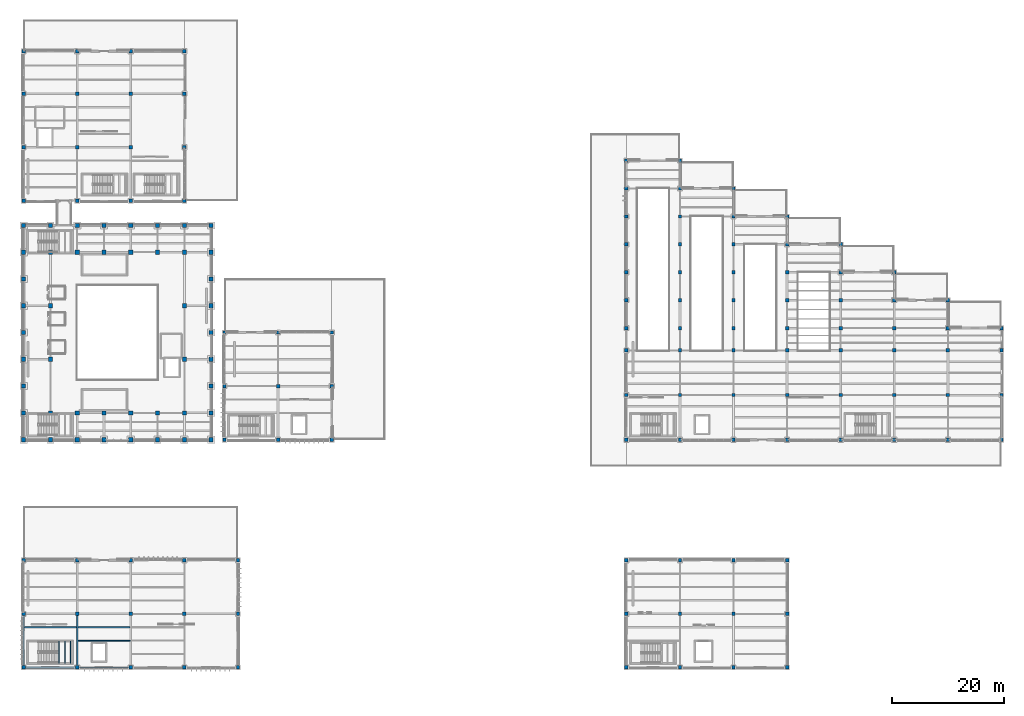
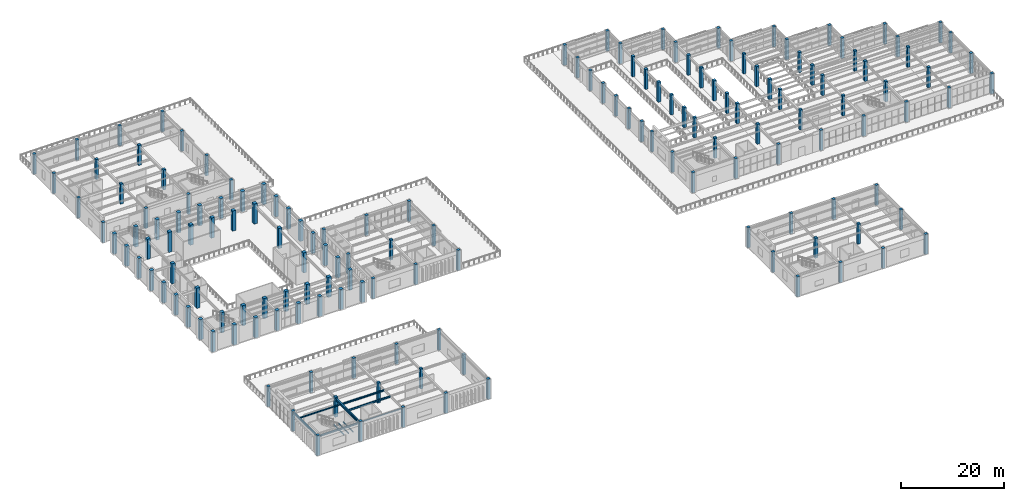
# One storey, part 1 of 83: 157 columns, 10 beams.
"""IFC4 building model written with IfcOpenShell, lengths in metres."""

from ifc_helpers import new_model, si_unit, direction, frame, origin, origin_2d, place, context, subcontext, project, spatial, rectangle, i_section, extrude, material, material_profile, profile_set, type_object, element, save


model = new_model("IFC4")

# Units and contexts
model_context = context("Model", 3, precision=1e-05, world=origin(), true_north=direction((0.0, 1.0)))
body_context = subcontext(model_context, "Body", "Model", "MODEL_VIEW")
ifc_project = project(units=[si_unit("LENGTHUNIT", "METRE"), si_unit("AREAUNIT", "SQUARE_METRE"), si_unit("VOLUMEUNIT", "CUBIC_METRE"), si_unit("PLANEANGLEUNIT", "RADIAN"), si_unit("MASSUNIT", "GRAM", prefix="KILO")], contexts=[model_context])

# Site, building, storey
site_placement = place(None, origin())
site = spatial("IfcSite", under=ifc_project, at=site_placement, CompositionType="ELEMENT")
building_placement = place(site_placement, origin())
building = spatial("IfcBuilding", under=site, at=building_placement, Name="Mavantir Sound Aquarium", CompositionType="ELEMENT")
storey_placement = place(building_placement, frame((0.0, 0.0, 10.5)))
storey = spatial("IfcBuildingStorey", under=building, at=storey_placement, Name="L02", CompositionType="ELEMENT", Elevation=10.5)

# Columns
ifc_material_1 = material(Name="Concrete C40/50", Category="concrete")
ifc_material_profile_1 = material_profile(ifc_material_1, rectangle(XDim=0.60009765625, YDim=0.60009765625, at=origin_2d()), Name="RC 600X600")
ifc_profile_set_1 = profile_set([ifc_material_profile_1], Name="Concrete C40/50")
column_type_1 = type_object("IfcColumnType", Name="COL-RC600-E", PredefinedType="COLUMN", material=ifc_profile_set_1)
for number, where, z_axis, x_axis, name in (
    (1, (0.0, 0.0, 0.0), (0.0, 0.0, 1.0), (1.0, 0.0, 0.0), "L02 column RC-C60 (V3)"),
    (2, (0.0, 9.60009765625, 0.0), (0.0, 0.0, 1.0), (1.0, 0.0, 0.0), "L02 column RC-C60 (V3)"),
    (3, (0.0, 19.199951171875, 0.0), (0.0, 0.0, 1.0), (1.0, 0.0, 0.0), "L02 column RC-C60 (V3)"),
    (4, (9.60009765625, 0.0, 0.0), (0.0, 0.0, 1.0), (1.0, 0.0, 0.0), "L02 column RC-C60 (V3)"),
    (5, (19.199951171875, 0.0, 0.0), (0.0, 0.0, 1.0), (1.0, 0.0, 0.0), "L02 column RC-C60 (V3)"),
    (6, (28.800048828125, 0.0, 0.0), (0.0, 0.0, 1.0), (1.0, 0.0, 0.0), "L02 column RC-C60 (V3)"),
    (7, (38.39990234375, 0.0, 0.0), (0.0, 0.0, 1.0), (1.0, 0.0, 0.0), "L02 column RC-C60 (V3)"),
    (8, (175.199951171875, 40.800048828125, 0.0), (0.0, 0.0, 1.0), (1.0, 0.0, 0.0), "L02 column RC-C60 (V4)"),
    (9, (175.199951171875, 48.800048828125, 0.0), (0.0, 0.0, 1.0), (1.0, 0.0, 0.0), "L02 column RC-C60 (V4)"),
    (10, (175.199951171875, 56.800048828125, 0.0), (0.0, 0.0, 1.0), (1.0, 0.0, 0.0), "L02 column RC-C60 (V4)"),
    (11, (175.199951171875, 60.800048828125, 0.0), (0.0, 0.0, 1.0), (1.0, 0.0, 0.0), "L02 column RC-C60 (V4)"),
    (12, (0.0, 83.60009765625, 0.0), (0.0, 0.0, 1.0), (1.0, 0.0, 0.0), "L02 column RC-C60 (V5)"),
    (13, (0.0, 93.199951171875, 0.0), (0.0, 0.0, 1.0), (1.0, 0.0, 0.0), "L02 column RC-C60 (V5)"),
    (14, (0.0, 102.800048828125, 0.0), (0.0, 0.0, 1.0), (1.0, 0.0, 0.0), "L02 column RC-C60 (V5)"),
    (15, (0.0, 110.39990234375, 0.0), (0.0, 0.0, 1.0), (1.0, 0.0, 0.0), "L02 column RC-C60 (V5)"),
    (16, (108.0, 0.0, 0.0), (0.0, 0.0, 1.0), (1.0, 0.0, 0.0), "L02 column RC-C60 (V6)"),
    (17, (117.60009765625, 0.0, 0.0), (0.0, 0.0, 1.0), (1.0, 0.0, 0.0), "L02 column RC-C60 (V6)"),
    (18, (127.199951171875, 0.0, 0.0), (0.0, 0.0, 1.0), (1.0, 0.0, 0.0), "L02 column RC-C60 (V6)"),
    (19, (136.800048828125, 0.0, 0.0), (0.0, 0.0, 1.0), (1.0, 0.0, 0.0), "L02 column RC-C60 (V6)"),
):
    element("IfcColumn", number, at=place(storey_placement, frame(where, z_axis=z_axis, x_axis=x_axis)), inside=storey, type_object=column_type_1, Name=name, PredefinedType="COLUMN", context=body_context, shape_type="SweptSolid", body=[
        extrude(rectangle(XDim=0.60009765625, YDim=0.60009765625, at=origin_2d()), origin(), (0.0, 0.0, 1.0), 4.800048828125),
    ])
ifc_material_profile_2 = material_profile(ifc_material_1, rectangle(XDim=0.60009765625, YDim=0.60009765625, at=origin_2d()), Name="RC 600X600")
ifc_profile_set_2 = profile_set([ifc_material_profile_2], Name="Concrete C40/50")
column_type_2 = type_object("IfcColumnType", Name="COL-RC600-I", PredefinedType="COLUMN", material=ifc_profile_set_2)
for number, where, z_axis, x_axis, name in (
    (20, (36.0, 40.800048828125, 0.0), (0.0, 0.0, 1.0), (1.0, 0.0, 0.0), "L02 column RC-C60 (V2)"),
    (21, (36.0, 50.39990234375, 0.0), (0.0, 0.0, 1.0), (1.0, 0.0, 0.0), "L02 column RC-C60 (V2)"),
    (22, (36.0, 60.0, 0.0), (0.0, 0.0, 1.0), (1.0, 0.0, 0.0), "L02 column RC-C60 (V2)"),
    (23, (45.60009765625, 40.800048828125, 0.0), (0.0, 0.0, 1.0), (1.0, 0.0, 0.0), "L02 column RC-C60 (V2)"),
    (24, (45.60009765625, 50.39990234375, 0.0), (0.0, 0.0, 1.0), (1.0, 0.0, 0.0), "L02 column RC-C60 (V2)"),
    (25, (45.60009765625, 60.0, 0.0), (0.0, 0.0, 1.0), (1.0, 0.0, 0.0), "L02 column RC-C60 (V2)"),
    (26, (55.199951171875, 40.800048828125, 0.0), (0.0, 0.0, 1.0), (1.0, 0.0, 0.0), "L02 column RC-C60 (V2)"),
    (27, (55.199951171875, 50.39990234375, 0.0), (0.0, 0.0, 1.0), (1.0, 0.0, 0.0), "L02 column RC-C60 (V2)"),
    (28, (55.199951171875, 60.0, 0.0), (0.0, 0.0, 1.0), (1.0, 0.0, 0.0), "L02 column RC-C60 (V2)"),
    (29, (9.60009765625, 9.60009765625, 0.0), (0.0, 0.0, 1.0), (1.0, 0.0, 0.0), "L02 column RC-C60 (V3)"),
    (30, (9.60009765625, 19.199951171875, 0.0), (0.0, 0.0, 1.0), (1.0, 0.0, 0.0), "L02 column RC-C60 (V3)"),
    (31, (19.199951171875, 9.60009765625, 0.0), (0.0, 0.0, 1.0), (1.0, 0.0, 0.0), "L02 column RC-C60 (V3)"),
    (32, (19.199951171875, 19.199951171875, 0.0), (0.0, 0.0, 1.0), (1.0, 0.0, 0.0), "L02 column RC-C60 (V3)"),
    (33, (28.800048828125, 9.60009765625, 0.0), (0.0, 0.0, 1.0), (1.0, 0.0, 0.0), "L02 column RC-C60 (V3)"),
    (34, (28.800048828125, 19.199951171875, 0.0), (0.0, 0.0, 1.0), (1.0, 0.0, 0.0), "L02 column RC-C60 (V3)"),
    (35, (38.39990234375, 9.60009765625, 0.0), (0.0, 0.0, 1.0), (1.0, 0.0, 0.0), "L02 column RC-C60 (V3)"),
    (36, (38.39990234375, 19.199951171875, 0.0), (0.0, 0.0, 1.0), (1.0, 0.0, 0.0), "L02 column RC-C60 (V3)"),
    (37, (108.0, 40.800048828125, 0.0), (0.0, 0.0, 1.0), (1.0, 0.0, 0.0), "L02 column RC-C60 (V4)"),
    (38, (108.0, 48.800048828125, 0.0), (0.0, 0.0, 1.0), (1.0, 0.0, 0.0), "L02 column RC-C60 (V4)"),
    (39, (108.0, 56.800048828125, 0.0), (0.0, 0.0, 1.0), (1.0, 0.0, 0.0), "L02 column RC-C60 (V4)"),
    (40, (108.0, 60.800048828125, 0.0), (0.0, 0.0, 1.0), (1.0, 0.0, 0.0), "L02 column RC-C60 (V4)"),
    (41, (108.0, 65.800048828125, 0.0), (0.0, 0.0, 1.0), (1.0, 0.0, 0.0), "L02 column RC-C60 (V4)"),
    (42, (108.0, 70.800048828125, 0.0), (0.0, 0.0, 1.0), (1.0, 0.0, 0.0), "L02 column RC-C60 (V4)"),
    (43, (108.0, 75.800048828125, 0.0), (0.0, 0.0, 1.0), (1.0, 0.0, 0.0), "L02 column RC-C60 (V4)"),
    (44, (108.0, 80.800048828125, 0.0), (0.0, 0.0, 1.0), (1.0, 0.0, 0.0), "L02 column RC-C60 (V4)"),
    (45, (108.0, 85.800048828125, 0.0), (0.0, 0.0, 1.0), (1.0, 0.0, 0.0), "L02 column RC-C60 (V4)"),
    (46, (108.0, 90.800048828125, 0.0), (0.0, 0.0, 1.0), (1.0, 0.0, 0.0), "L02 column RC-C60 (V4)"),
    (47, (117.60009765625, 40.800048828125, 0.0), (0.0, 0.0, 1.0), (1.0, 0.0, 0.0), "L02 column RC-C60 (V4)"),
    (48, (117.60009765625, 48.800048828125, 0.0), (0.0, 0.0, 1.0), (1.0, 0.0, 0.0), "L02 column RC-C60 (V4)"),
    (49, (117.60009765625, 56.800048828125, 0.0), (0.0, 0.0, 1.0), (1.0, 0.0, 0.0), "L02 column RC-C60 (V4)"),
    (50, (117.60009765625, 60.800048828125, 0.0), (0.0, 0.0, 1.0), (1.0, 0.0, 0.0), "L02 column RC-C60 (V4)"),
    (51, (117.60009765625, 65.800048828125, 0.0), (0.0, 0.0, 1.0), (1.0, 0.0, 0.0), "L02 column RC-C60 (V4)"),
    (52, (117.60009765625, 70.800048828125, 0.0), (0.0, 0.0, 1.0), (1.0, 0.0, 0.0), "L02 column RC-C60 (V4)"),
    (53, (117.60009765625, 75.800048828125, 0.0), (0.0, 0.0, 1.0), (1.0, 0.0, 0.0), "L02 column RC-C60 (V4)"),
    (54, (117.60009765625, 80.800048828125, 0.0), (0.0, 0.0, 1.0), (1.0, 0.0, 0.0), "L02 column RC-C60 (V4)"),
    (55, (117.60009765625, 85.800048828125, 0.0), (0.0, 0.0, 1.0), (1.0, 0.0, 0.0), "L02 column RC-C60 (V4)"),
    (56, (117.60009765625, 90.800048828125, 0.0), (0.0, 0.0, 1.0), (1.0, 0.0, 0.0), "L02 column RC-C60 (V4)"),
    (57, (127.199951171875, 40.800048828125, 0.0), (0.0, 0.0, 1.0), (1.0, 0.0, 0.0), "L02 column RC-C60 (V4)"),
    (58, (127.199951171875, 48.800048828125, 0.0), (0.0, 0.0, 1.0), (1.0, 0.0, 0.0), "L02 column RC-C60 (V4)"),
    (59, (127.199951171875, 56.800048828125, 0.0), (0.0, 0.0, 1.0), (1.0, 0.0, 0.0), "L02 column RC-C60 (V4)"),
    (60, (127.199951171875, 60.800048828125, 0.0), (0.0, 0.0, 1.0), (1.0, 0.0, 0.0), "L02 column RC-C60 (V4)"),
    (61, (127.199951171875, 65.800048828125, 0.0), (0.0, 0.0, 1.0), (1.0, 0.0, 0.0), "L02 column RC-C60 (V4)"),
    (62, (127.199951171875, 70.800048828125, 0.0), (0.0, 0.0, 1.0), (1.0, 0.0, 0.0), "L02 column RC-C60 (V4)"),
    (63, (127.199951171875, 75.800048828125, 0.0), (0.0, 0.0, 1.0), (1.0, 0.0, 0.0), "L02 column RC-C60 (V4)"),
    (64, (127.199951171875, 80.800048828125, 0.0), (0.0, 0.0, 1.0), (1.0, 0.0, 0.0), "L02 column RC-C60 (V4)"),
    (65, (127.199951171875, 85.800048828125, 0.0), (0.0, 0.0, 1.0), (1.0, 0.0, 0.0), "L02 column RC-C60 (V4)"),
    (66, (136.800048828125, 40.800048828125, 0.0), (0.0, 0.0, 1.0), (1.0, 0.0, 0.0), "L02 column RC-C60 (V4)"),
    (67, (136.800048828125, 48.800048828125, 0.0), (0.0, 0.0, 1.0), (1.0, 0.0, 0.0), "L02 column RC-C60 (V4)"),
    (68, (136.800048828125, 56.800048828125, 0.0), (0.0, 0.0, 1.0), (1.0, 0.0, 0.0), "L02 column RC-C60 (V4)"),
    (69, (136.800048828125, 60.800048828125, 0.0), (0.0, 0.0, 1.0), (1.0, 0.0, 0.0), "L02 column RC-C60 (V4)"),
    (70, (136.800048828125, 65.800048828125, 0.0), (0.0, 0.0, 1.0), (1.0, 0.0, 0.0), "L02 column RC-C60 (V4)"),
    (71, (136.800048828125, 70.800048828125, 0.0), (0.0, 0.0, 1.0), (1.0, 0.0, 0.0), "L02 column RC-C60 (V4)"),
    (72, (136.800048828125, 75.800048828125, 0.0), (0.0, 0.0, 1.0), (1.0, 0.0, 0.0), "L02 column RC-C60 (V4)"),
    (73, (136.800048828125, 80.800048828125, 0.0), (0.0, 0.0, 1.0), (1.0, 0.0, 0.0), "L02 column RC-C60 (V4)"),
    (74, (146.39990234375, 40.800048828125, 0.0), (0.0, 0.0, 1.0), (1.0, 0.0, 0.0), "L02 column RC-C60 (V4)"),
    (75, (146.39990234375, 48.800048828125, 0.0), (0.0, 0.0, 1.0), (1.0, 0.0, 0.0), "L02 column RC-C60 (V4)"),
    (76, (146.39990234375, 56.800048828125, 0.0), (0.0, 0.0, 1.0), (1.0, 0.0, 0.0), "L02 column RC-C60 (V4)"),
    (77, (146.39990234375, 60.800048828125, 0.0), (0.0, 0.0, 1.0), (1.0, 0.0, 0.0), "L02 column RC-C60 (V4)"),
    (78, (146.39990234375, 65.800048828125, 0.0), (0.0, 0.0, 1.0), (1.0, 0.0, 0.0), "L02 column RC-C60 (V4)"),
    (79, (146.39990234375, 70.800048828125, 0.0), (0.0, 0.0, 1.0), (1.0, 0.0, 0.0), "L02 column RC-C60 (V4)"),
    (80, (146.39990234375, 75.800048828125, 0.0), (0.0, 0.0, 1.0), (1.0, 0.0, 0.0), "L02 column RC-C60 (V4)"),
    (81, (156.0, 40.800048828125, 0.0), (0.0, 0.0, 1.0), (1.0, 0.0, 0.0), "L02 column RC-C60 (V4)"),
    (82, (156.0, 48.800048828125, 0.0), (0.0, 0.0, 1.0), (1.0, 0.0, 0.0), "L02 column RC-C60 (V4)"),
    (83, (156.0, 56.800048828125, 0.0), (0.0, 0.0, 1.0), (1.0, 0.0, 0.0), "L02 column RC-C60 (V4)"),
    (84, (156.0, 60.800048828125, 0.0), (0.0, 0.0, 1.0), (1.0, 0.0, 0.0), "L02 column RC-C60 (V4)"),
    (85, (156.0, 65.800048828125, 0.0), (0.0, 0.0, 1.0), (1.0, 0.0, 0.0), "L02 column RC-C60 (V4)"),
    (86, (156.0, 70.800048828125, 0.0), (0.0, 0.0, 1.0), (1.0, 0.0, 0.0), "L02 column RC-C60 (V4)"),
    (87, (165.60009765625, 40.800048828125, 0.0), (0.0, 0.0, 1.0), (1.0, 0.0, 0.0), "L02 column RC-C60 (V4)"),
    (88, (165.60009765625, 48.800048828125, 0.0), (0.0, 0.0, 1.0), (1.0, 0.0, 0.0), "L02 column RC-C60 (V4)"),
    (89, (165.60009765625, 56.800048828125, 0.0), (0.0, 0.0, 1.0), (1.0, 0.0, 0.0), "L02 column RC-C60 (V4)"),
    (90, (165.60009765625, 60.800048828125, 0.0), (0.0, 0.0, 1.0), (1.0, 0.0, 0.0), "L02 column RC-C60 (V4)"),
    (91, (165.60009765625, 65.800048828125, 0.0), (0.0, 0.0, 1.0), (1.0, 0.0, 0.0), "L02 column RC-C60 (V4)"),
    (92, (9.60009765625, 83.60009765625, 0.0), (0.0, 0.0, 1.0), (1.0, 0.0, 0.0), "L02 column RC-C60 (V5)"),
    (93, (9.60009765625, 93.199951171875, 0.0), (0.0, 0.0, 1.0), (1.0, 0.0, 0.0), "L02 column RC-C60 (V5)"),
    (94, (9.60009765625, 102.800048828125, 0.0), (0.0, 0.0, 1.0), (1.0, 0.0, 0.0), "L02 column RC-C60 (V5)"),
    (95, (9.60009765625, 110.39990234375, 0.0), (0.0, 0.0, 1.0), (1.0, 0.0, 0.0), "L02 column RC-C60 (V5)"),
    (96, (19.199951171875, 83.60009765625, 0.0), (0.0, 0.0, 1.0), (1.0, 0.0, 0.0), "L02 column RC-C60 (V5)"),
    (97, (19.199951171875, 93.199951171875, 0.0), (0.0, 0.0, 1.0), (1.0, 0.0, 0.0), "L02 column RC-C60 (V5)"),
    (98, (19.199951171875, 102.800048828125, 0.0), (0.0, 0.0, 1.0), (1.0, 0.0, 0.0), "L02 column RC-C60 (V5)"),
    (99, (19.199951171875, 110.39990234375, 0.0), (0.0, 0.0, 1.0), (1.0, 0.0, 0.0), "L02 column RC-C60 (V5)"),
    (100, (28.800048828125, 83.60009765625, 0.0), (0.0, 0.0, 1.0), (1.0, 0.0, 0.0), "L02 column RC-C60 (V5)"),
    (101, (28.800048828125, 93.199951171875, 0.0), (0.0, 0.0, 1.0), (1.0, 0.0, 0.0), "L02 column RC-C60 (V5)"),
    (102, (28.800048828125, 102.800048828125, 0.0), (0.0, 0.0, 1.0), (1.0, 0.0, 0.0), "L02 column RC-C60 (V5)"),
    (103, (28.800048828125, 110.39990234375, 0.0), (0.0, 0.0, 1.0), (1.0, 0.0, 0.0), "L02 column RC-C60 (V5)"),
    (104, (108.0, 9.60009765625, 0.0), (0.0, 0.0, 1.0), (1.0, 0.0, 0.0), "L02 column RC-C60 (V6)"),
    (105, (108.0, 19.199951171875, 0.0), (0.0, 0.0, 1.0), (1.0, 0.0, 0.0), "L02 column RC-C60 (V6)"),
    (106, (117.60009765625, 9.60009765625, 0.0), (0.0, 0.0, 1.0), (1.0, 0.0, 0.0), "L02 column RC-C60 (V6)"),
    (107, (117.60009765625, 19.199951171875, 0.0), (0.0, 0.0, 1.0), (1.0, 0.0, 0.0), "L02 column RC-C60 (V6)"),
    (108, (127.199951171875, 9.60009765625, 0.0), (0.0, 0.0, 1.0), (1.0, 0.0, 0.0), "L02 column RC-C60 (V6)"),
    (109, (127.199951171875, 19.199951171875, 0.0), (0.0, 0.0, 1.0), (1.0, 0.0, 0.0), "L02 column RC-C60 (V6)"),
    (110, (136.800048828125, 9.60009765625, 0.0), (0.0, 0.0, 1.0), (1.0, 0.0, 0.0), "L02 column RC-C60 (V6)"),
    (111, (136.800048828125, 19.199951171875, 0.0), (0.0, 0.0, 1.0), (1.0, 0.0, 0.0), "L02 column RC-C60 (V6)"),
):
    element("IfcColumn", number, at=place(storey_placement, frame(where, z_axis=z_axis, x_axis=x_axis)), inside=storey, type_object=column_type_2, Name=name, PredefinedType="COLUMN", context=body_context, shape_type="SweptSolid", body=[
        extrude(rectangle(XDim=0.60009765625, YDim=0.60009765625, at=origin_2d()), origin(), (0.0, 0.0, 1.0), 4.800048828125),
    ])
ifc_material_profile_3 = material_profile(ifc_material_1, rectangle(XDim=0.75, YDim=0.75, at=origin_2d()), Name="RC 750X750")
ifc_profile_set_3 = profile_set([ifc_material_profile_3], Name="Concrete C40/50")
column_type_3 = type_object("IfcColumnType", Name="COL-RC750-E", PredefinedType="COLUMN", material=ifc_profile_set_3)
for number, where, z_axis, x_axis, name in (
    (112, (0.0, 40.800048828125, 0.0), (0.0, 0.0, 1.0), (1.0, 0.0, 0.0), "L02 column RC-C75 (V1)"),
    (113, (0.0, 45.60009765625, 0.0), (0.0, 0.0, 1.0), (1.0, 0.0, 0.0), "L02 column RC-C75 (V1)"),
    (114, (0.0, 50.39990234375, 0.0), (0.0, 0.0, 1.0), (1.0, 0.0, 0.0), "L02 column RC-C75 (V1)"),
    (115, (0.0, 55.199951171875, 0.0), (0.0, 0.0, 1.0), (1.0, 0.0, 0.0), "L02 column RC-C75 (V1)"),
    (116, (0.0, 60.0, 0.0), (0.0, 0.0, 1.0), (1.0, 0.0, 0.0), "L02 column RC-C75 (V1)"),
    (117, (0.0, 64.800048828125, 0.0), (0.0, 0.0, 1.0), (1.0, 0.0, 0.0), "L02 column RC-C75 (V1)"),
    (118, (0.0, 69.60009765625, 0.0), (0.0, 0.0, 1.0), (1.0, 0.0, 0.0), "L02 column RC-C75 (V1)"),
    (119, (0.0, 74.39990234375, 0.0), (0.0, 0.0, 1.0), (1.0, 0.0, 0.0), "L02 column RC-C75 (V1)"),
    (120, (0.0, 79.199951171875, 0.0), (0.0, 0.0, 1.0), (1.0, 0.0, 0.0), "L02 column RC-C75 (V1)"),
):
    element("IfcColumn", number, at=place(storey_placement, frame(where, z_axis=z_axis, x_axis=x_axis)), inside=storey, type_object=column_type_3, Name=name, PredefinedType="COLUMN", context=body_context, shape_type="SweptSolid", body=[
        extrude(rectangle(XDim=0.75, YDim=0.75, at=origin_2d()), origin(), (0.0, 0.0, 1.0), 4.800048828125),
    ])
ifc_material_profile_4 = material_profile(ifc_material_1, rectangle(XDim=0.75, YDim=0.75, at=origin_2d()), Name="RC 750X750")
ifc_profile_set_4 = profile_set([ifc_material_profile_4], Name="Concrete C40/50")
column_type_4 = type_object("IfcColumnType", Name="COL-RC750-I", PredefinedType="COLUMN", material=ifc_profile_set_4)
for number, where, z_axis, x_axis, name in (
    (121, (4.800048828125, 40.800048828125, 0.0), (0.0, 0.0, 1.0), (1.0, 0.0, 0.0), "L02 column RC-C75 (V1)"),
    (122, (4.800048828125, 45.60009765625, 0.0), (0.0, 0.0, 1.0), (1.0, 0.0, 0.0), "L02 column RC-C75 (V1)"),
    (123, (4.800048828125, 55.199951171875, 0.0), (0.0, 0.0, 1.0), (1.0, 0.0, 0.0), "L02 column RC-C75 (V1)"),
    (124, (4.800048828125, 64.800048828125, 0.0), (0.0, 0.0, 1.0), (1.0, 0.0, 0.0), "L02 column RC-C75 (V1)"),
    (125, (4.800048828125, 74.39990234375, 0.0), (0.0, 0.0, 1.0), (1.0, 0.0, 0.0), "L02 column RC-C75 (V1)"),
    (126, (4.800048828125, 79.199951171875, 0.0), (0.0, 0.0, 1.0), (1.0, 0.0, 0.0), "L02 column RC-C75 (V1)"),
    (127, (9.60009765625, 40.800048828125, 0.0), (0.0, 0.0, 1.0), (1.0, 0.0, 0.0), "L02 column RC-C75 (V1)"),
    (128, (9.60009765625, 45.60009765625, 0.0), (0.0, 0.0, 1.0), (1.0, 0.0, 0.0), "L02 column RC-C75 (V1)"),
    (129, (9.60009765625, 74.39990234375, 0.0), (0.0, 0.0, 1.0), (1.0, 0.0, 0.0), "L02 column RC-C75 (V1)"),
    (130, (9.60009765625, 79.199951171875, 0.0), (0.0, 0.0, 1.0), (1.0, 0.0, 0.0), "L02 column RC-C75 (V1)"),
    (131, (14.39990234375, 40.800048828125, 0.0), (0.0, 0.0, 1.0), (1.0, 0.0, 0.0), "L02 column RC-C75 (V1)"),
    (132, (14.39990234375, 45.60009765625, 0.0), (0.0, 0.0, 1.0), (1.0, 0.0, 0.0), "L02 column RC-C75 (V1)"),
    (133, (14.39990234375, 74.39990234375, 0.0), (0.0, 0.0, 1.0), (1.0, 0.0, 0.0), "L02 column RC-C75 (V1)"),
    (134, (14.39990234375, 79.199951171875, 0.0), (0.0, 0.0, 1.0), (1.0, 0.0, 0.0), "L02 column RC-C75 (V1)"),
    (135, (19.199951171875, 40.800048828125, 0.0), (0.0, 0.0, 1.0), (1.0, 0.0, 0.0), "L02 column RC-C75 (V1)"),
    (136, (19.199951171875, 45.60009765625, 0.0), (0.0, 0.0, 1.0), (1.0, 0.0, 0.0), "L02 column RC-C75 (V1)"),
    (137, (19.199951171875, 74.39990234375, 0.0), (0.0, 0.0, 1.0), (1.0, 0.0, 0.0), "L02 column RC-C75 (V1)"),
    (138, (19.199951171875, 79.199951171875, 0.0), (0.0, 0.0, 1.0), (1.0, 0.0, 0.0), "L02 column RC-C75 (V1)"),
    (139, (24.0, 40.800048828125, 0.0), (0.0, 0.0, 1.0), (1.0, 0.0, 0.0), "L02 column RC-C75 (V1)"),
    (140, (24.0, 45.60009765625, 0.0), (0.0, 0.0, 1.0), (1.0, 0.0, 0.0), "L02 column RC-C75 (V1)"),
    (141, (24.0, 74.39990234375, 0.0), (0.0, 0.0, 1.0), (1.0, 0.0, 0.0), "L02 column RC-C75 (V1)"),
    (142, (24.0, 79.199951171875, 0.0), (0.0, 0.0, 1.0), (1.0, 0.0, 0.0), "L02 column RC-C75 (V1)"),
    (143, (28.800048828125, 40.800048828125, 0.0), (0.0, 0.0, 1.0), (1.0, 0.0, 0.0), "L02 column RC-C75 (V1)"),
    (144, (28.800048828125, 45.60009765625, 0.0), (0.0, 0.0, 1.0), (1.0, 0.0, 0.0), "L02 column RC-C75 (V1)"),
    (145, (28.800048828125, 55.199951171875, 0.0), (0.0, 0.0, 1.0), (1.0, 0.0, 0.0), "L02 column RC-C75 (V1)"),
    (146, (28.800048828125, 64.800048828125, 0.0), (0.0, 0.0, 1.0), (1.0, 0.0, 0.0), "L02 column RC-C75 (V1)"),
    (147, (28.800048828125, 74.39990234375, 0.0), (0.0, 0.0, 1.0), (1.0, 0.0, 0.0), "L02 column RC-C75 (V1)"),
    (148, (28.800048828125, 79.199951171875, 0.0), (0.0, 0.0, 1.0), (1.0, 0.0, 0.0), "L02 column RC-C75 (V1)"),
    (149, (33.60009765625, 40.800048828125, 0.0), (0.0, 0.0, 1.0), (1.0, 0.0, 0.0), "L02 column RC-C75 (V1)"),
    (150, (33.60009765625, 45.60009765625, 0.0), (0.0, 0.0, 1.0), (1.0, 0.0, 0.0), "L02 column RC-C75 (V1)"),
    (151, (33.60009765625, 50.39990234375, 0.0), (0.0, 0.0, 1.0), (1.0, 0.0, 0.0), "L02 column RC-C75 (V1)"),
    (152, (33.60009765625, 55.199951171875, 0.0), (0.0, 0.0, 1.0), (1.0, 0.0, 0.0), "L02 column RC-C75 (V1)"),
    (153, (33.60009765625, 60.0, 0.0), (0.0, 0.0, 1.0), (1.0, 0.0, 0.0), "L02 column RC-C75 (V1)"),
    (154, (33.60009765625, 64.800048828125, 0.0), (0.0, 0.0, 1.0), (1.0, 0.0, 0.0), "L02 column RC-C75 (V1)"),
    (155, (33.60009765625, 69.60009765625, 0.0), (0.0, 0.0, 1.0), (1.0, 0.0, 0.0), "L02 column RC-C75 (V1)"),
    (156, (33.60009765625, 74.39990234375, 0.0), (0.0, 0.0, 1.0), (1.0, 0.0, 0.0), "L02 column RC-C75 (V1)"),
    (157, (33.60009765625, 79.199951171875, 0.0), (0.0, 0.0, 1.0), (1.0, 0.0, 0.0), "L02 column RC-C75 (V1)"),
):
    element("IfcColumn", number, at=place(storey_placement, frame(where, z_axis=z_axis, x_axis=x_axis)), inside=storey, type_object=column_type_4, Name=name, PredefinedType="COLUMN", context=body_context, shape_type="SweptSolid", body=[
        extrude(rectangle(XDim=0.75, YDim=0.75, at=origin_2d()), origin(), (0.0, 0.0, 1.0), 4.800048828125),
    ])

# Beams
ifc_material_2 = material(Name="Structural Steel ASTM A992 Gr50", Category="steel")
ifc_material_profile_5 = material_profile(ifc_material_2, i_section(OverallWidth=0.202880859375, OverallDepth=0.202880859375, WebThickness=0.007080078125, FlangeThickness=0.010986328125, FilletRadius=0.010009765625, at=origin_2d()), Name="W200X46")
ifc_profile_set_5 = profile_set([ifc_material_profile_5], Name="Structural Steel ASTM A992 Gr50")
beam_type_1 = type_object("IfcBeamType", Name="BM-W200X46-E", PredefinedType="LINTEL", material=ifc_profile_set_5)
beam_1_placement = place(storey_placement, frame((9.89990234375, 0.0, 4.41455078125), z_axis=(1.0, 0.0, 0.0), x_axis=(0.0, 1.0, 0.0)))
element("IfcBeam", 158, at=beam_1_placement, inside=storey, type_object=beam_type_1, Name="L02 primary beam SL-20 1494", PredefinedType="LINTEL", context=body_context, shape_type="SweptSolid", body=[
    extrude(i_section(OverallWidth=0.202880859375, OverallDepth=0.202880859375, WebThickness=0.007080078125, FlangeThickness=0.010986328125, FilletRadius=0.010009765625, at=origin_2d()), origin(), (0.0, 0.0, 1.0), 9.0),
])
ifc_material_profile_6 = material_profile(ifc_material_2, i_section(OverallWidth=0.202880859375, OverallDepth=0.202880859375, WebThickness=0.007080078125, FlangeThickness=0.010986328125, FilletRadius=0.010009765625, at=origin_2d()), Name="W200X46")
ifc_profile_set_6 = profile_set([ifc_material_profile_6], Name="Structural Steel ASTM A992 Gr50")
beam_type_2 = type_object("IfcBeamType", Name="BM-W200X46-I", PredefinedType="LINTEL", material=ifc_profile_set_6)
for number, where, z_axis, x_axis, name in (
    (159, (6.35009765625, 0.72509765625, 2.095458984375), (0.0, 1.0, 0.0), (-1.0, 0.0, 0.0), "Stair ST3 landing support beam 49"),
    (160, (7.389892578125, 0.72509765625, 2.095458984375), (0.0, 1.0, 0.0), (-1.0, 0.0, 0.0), "Stair ST3 landing support beam 50"),
    (161, (8.429931640625, 0.72509765625, 2.095458984375), (0.0, 1.0, 0.0), (-1.0, 0.0, 0.0), "Stair ST3 landing support beam 51"),
):
    element("IfcBeam", number, at=place(storey_placement, frame(where, z_axis=z_axis, x_axis=x_axis)), inside=storey, type_object=beam_type_2, Name=name, PredefinedType="LINTEL", context=body_context, shape_type="SweptSolid", body=[
        extrude(i_section(OverallWidth=0.202880859375, OverallDepth=0.202880859375, WebThickness=0.007080078125, FlangeThickness=0.010986328125, FilletRadius=0.010009765625, at=origin_2d()), origin(), (0.0, 0.0, 1.0), 4.0),
    ])
ifc_material_profile_7 = material_profile(ifc_material_2, i_section(OverallWidth=0.202880859375, OverallDepth=0.251953125, WebThickness=0.008056640625, FlangeThickness=0.013427734375, FilletRadius=0.011962890625, at=origin_2d()), Name="W250X58")
ifc_profile_set_7 = profile_set([ifc_material_profile_7], Name="Structural Steel ASTM A992 Gr50")
beam_type_3 = type_object("IfcBeamType", Name="BM-W250X58-I", PredefinedType="JOIST", material=ifc_profile_set_7)
beam_2_placement = place(storey_placement, frame((0.152587890625, 7.199951171875, 4.389892578125), z_axis=(1.0, 0.0, 0.0), x_axis=(0.0, 1.0, 0.0)))
element("IfcBeam", 162, at=beam_2_placement, inside=storey, type_object=beam_type_3, Name="L02 secondary floor joist SJ-25 876", PredefinedType="JOIST", context=body_context, shape_type="SweptSolid", body=[
    extrude(i_section(OverallWidth=0.202880859375, OverallDepth=0.251953125, WebThickness=0.008056640625, FlangeThickness=0.013427734375, FilletRadius=0.011962890625, at=origin_2d()), origin(), (0.0, 0.0, 1.0), 9.285400390625),
])
ifc_material_profile_8 = material_profile(ifc_material_2, i_section(OverallWidth=0.304931640625, OverallDepth=0.30810546875, WebThickness=0.010009765625, FlangeThickness=0.015380859375, FilletRadius=0.014892578125, at=origin_2d()), Name="W310X97")
ifc_profile_set_8 = profile_set([ifc_material_profile_8], Name="Structural Steel ASTM A992 Gr50")
beam_type_4 = type_object("IfcBeamType", Name="BM-W310X97-E", PredefinedType="SPANDREL", material=ifc_profile_set_8)
for number, where, z_axis, x_axis, name in (
    (163, (0.300048828125, 0.0, 4.362060546875), (1.0, 0.0, 0.0), (0.0, 1.0, 0.0), "L02 primary beam SS-31A 1493"),
    (164, (0.0, 0.300048828125, 4.362060546875), (0.0, 1.0, 0.0), (-1.0, 0.0, 0.0), "L02 primary girder SS-31A 1505"),
):
    element("IfcBeam", number, at=place(storey_placement, frame(where, z_axis=z_axis, x_axis=x_axis)), inside=storey, type_object=beam_type_4, Name=name, PredefinedType="SPANDREL", context=body_context, shape_type="SweptSolid", body=[
        extrude(i_section(OverallWidth=0.304931640625, OverallDepth=0.30810546875, WebThickness=0.010009765625, FlangeThickness=0.015380859375, FilletRadius=0.014892578125, at=origin_2d()), origin(), (0.0, 0.0, 1.0), 9.0),
    ])
ifc_material_profile_9 = material_profile(ifc_material_2, i_section(OverallWidth=0.25390625, OverallDepth=0.35302734375, WebThickness=0.009521484375, FlangeThickness=0.016357421875, FilletRadius=0.014892578125, at=origin_2d()), Name="W360X91")
ifc_profile_set_9 = profile_set([ifc_material_profile_9], Name="Structural Steel ASTM A992 Gr50")
beam_type_5 = type_object("IfcBeamType", Name="BM-W360X91-I", PredefinedType="JOIST", material=ifc_profile_set_9)
beam_3_placement = place(storey_placement, frame((9.761962890625, 7.199951171875, 4.339599609375), z_axis=(1.0, 0.0, 0.0), x_axis=(0.0, 1.0, 0.0)))
element("IfcBeam", 165, at=beam_3_placement, inside=storey, type_object=beam_type_5, Name="L02 secondary floor joist SJ-36 878", PredefinedType="JOIST", context=body_context, shape_type="SweptSolid", body=[
    extrude(i_section(OverallWidth=0.25390625, OverallDepth=0.35302734375, WebThickness=0.009521484375, FlangeThickness=0.016357421875, FilletRadius=0.014892578125, at=origin_2d()), origin(), (0.0, 0.0, 1.0), 9.341064453125),
])
ifc_material_profile_10 = material_profile(ifc_material_2, i_section(OverallWidth=0.180908203125, OverallDepth=0.4169921875, WebThickness=0.010986328125, FlangeThickness=0.018310546875, FilletRadius=0.014892578125, at=origin_2d()), Name="W410X85")
ifc_profile_set_10 = profile_set([ifc_material_profile_10], Name="Structural Steel ASTM A992 Gr50")
beam_type_6 = type_object("IfcBeamType", Name="BM-W410X85-I", PredefinedType="JOIST", material=ifc_profile_set_10)
beam_4_placement = place(storey_placement, frame((9.761962890625, 4.800048828125, 4.3076171875), z_axis=(1.0, 0.0, 0.0), x_axis=(0.0, 1.0, 0.0)))
element("IfcBeam", 166, at=beam_4_placement, inside=storey, type_object=beam_type_6, Name="L02 secondary floor joist SJ-41 877", PredefinedType="JOIST", context=body_context, shape_type="SweptSolid", body=[
    extrude(i_section(OverallWidth=0.180908203125, OverallDepth=0.4169921875, WebThickness=0.010986328125, FlangeThickness=0.018310546875, FilletRadius=0.014892578125, at=origin_2d()), origin(), (0.0, 0.0, 1.0), 9.341064453125),
])
ifc_material_profile_11 = material_profile(ifc_material_2, i_section(OverallWidth=0.323974609375, OverallDepth=0.611083984375, WebThickness=0.0126953125, FlangeThickness=0.01904296875, FilletRadius=0.01904296875, at=origin_2d()), Name="W610X155")
ifc_profile_set_11 = profile_set([ifc_material_profile_11], Name="Structural Steel ASTM A992 Gr50")
beam_type_7 = type_object("IfcBeamType", Name="BM-W610X155-I", PredefinedType="BEAM", material=ifc_profile_set_11)
beam_5_placement = place(storey_placement, frame((9.60009765625, 0.300048828125, 4.21044921875), z_axis=(0.0, 1.0, 0.0), x_axis=(-1.0, 0.0, 0.0)))
element("IfcBeam", 167, at=beam_5_placement, inside=storey, type_object=beam_type_7, Name="L02 primary girder SB-61A 1507", PredefinedType="BEAM", context=body_context, shape_type="SweptSolid", body=[
    extrude(i_section(OverallWidth=0.323974609375, OverallDepth=0.611083984375, WebThickness=0.0126953125, FlangeThickness=0.01904296875, FilletRadius=0.01904296875, at=origin_2d()), origin(), (0.0, 0.0, 1.0), 9.0),
])

save(model, "model.ifc")
